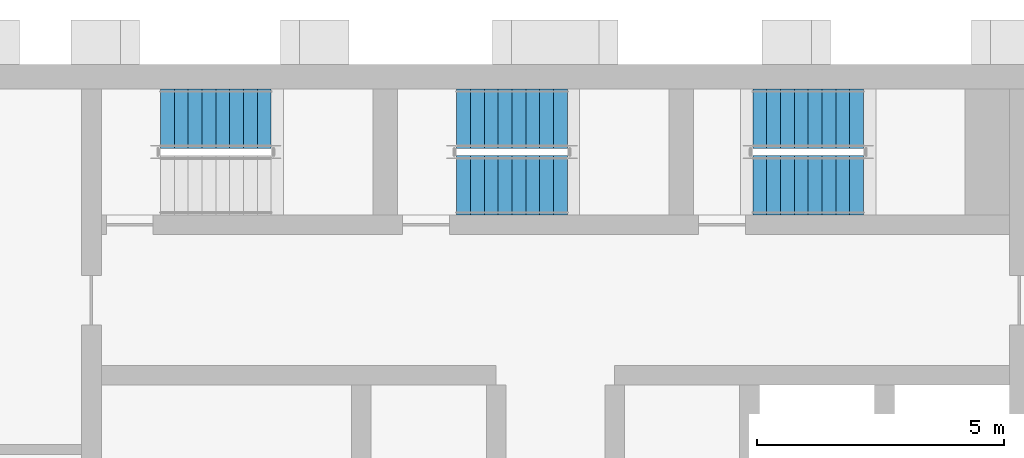
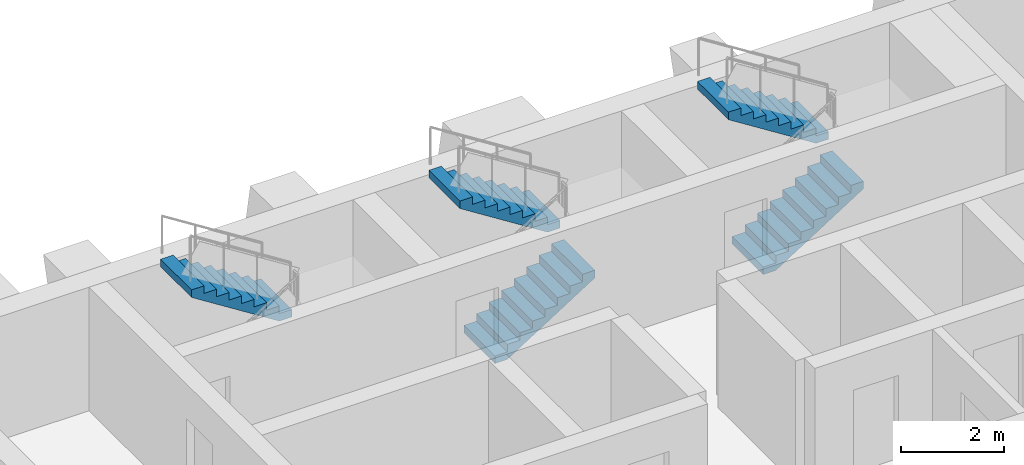
# One storey, part 15 of 19: 5 stair flights, 3 elements without a shape of their own.
"""IFC4 building model written with IfcOpenShell, lengths in metres."""

from ifc_helpers import new_model, si_unit, direction, frame, origin, place, context, subcontext, project, spatial, polyline, outline, extrude, material, type_object, element, aggregate, save


model = new_model("IFC4")

# Units and contexts
model_context = context("Model", 3, precision=1e-05, world=origin(), true_north=direction((0.0, 1.0)))
body_context = subcontext(model_context, "Body", "Model", "MODEL_VIEW")
ifc_project = project(units=[si_unit("LENGTHUNIT", "METRE"), si_unit("AREAUNIT", "SQUARE_METRE"), si_unit("VOLUMEUNIT", "CUBIC_METRE"), si_unit("PLANEANGLEUNIT", "RADIAN"), si_unit("MASSUNIT", "GRAM", prefix="KILO")], contexts=[model_context])

# Site, building, storey
site_placement = place(None, origin())
site = spatial("IfcSite", under=ifc_project, at=site_placement, CompositionType="ELEMENT")
building_placement = place(site_placement, origin())
building = spatial("IfcBuilding", under=site, at=building_placement, Name="Vidyagriha Tower", CompositionType="ELEMENT")
storey_placement = place(building_placement, frame((0.0, 0.0, 57.60009765625)))
storey = spatial("IfcBuildingStorey", under=building, at=storey_placement, Name="L15", CompositionType="ELEMENT", Elevation=57.60009765625)

# Stair, stair flight
ifc_material_1 = material(Name="Concrete C40/50", Category="concrete")
stair_type = type_object("IfcStairType", Name="Exit stair, half-turn, precast flights", PredefinedType="HALF_TURN_STAIR", material=ifc_material_1)
stair_1_placement = place(storey_placement, origin())
stair_1 = element("IfcStair", 1, at=stair_1_placement, inside=storey, type_object=stair_type, Name="L15 Exit Stair ST1", PredefinedType="HALF_TURN_STAIR")
ifc_material_2 = material(Name="Precast concrete C40/50", Category="concrete")
stair_flight_type = type_object("IfcStairFlightType", Name="Exit stair flight 1200 mm, precast", PredefinedType="STRAIGHT", material=ifc_material_2)
stair_flight_1_placement = place(storey_placement, frame((-5.760009765625, 18.89990234375, 1.599853515625), z_axis=(0.0, 0.0, 1.0), x_axis=(-1.0, 0.0, 0.0)))
stair_flight_1 = element("IfcStairFlight", 2, at=stair_flight_1_placement, type_object=stair_flight_type, Name="ST1 flight 2", NumberOfRisers=9, NumberOfTreads=8, PredefinedType="STRAIGHT", RiserHeight=0.177777778, TreadLength=0.28, context=body_context, shape_type="SweptSolid", body=[
    extrude(outline(polyline([(0.0, 0.0), (0.0, 0.177734375), (0.280029296875, 0.177734375), (0.280029296875, 0.35546875), (0.56005859375, 0.35546875), (0.56005859375, 0.533447265625), (0.840087890625, 0.533447265625), (0.840087890625, 0.711181640625), (1.1201171875, 0.711181640625), (1.1201171875, 0.888916015625), (1.39990234375, 0.888916015625), (1.39990234375, 1.066650390625), (1.679931640625, 1.066650390625), (1.679931640625, 1.244384765625), (1.9599609375, 1.244384765625), (1.9599609375, 1.422119140625), (2.239990234375, 1.422119140625), (2.239990234375, 1.60009765625), (2.239990234375, 1.24462890625), (0.27978515625, 0.0), (0.0, 0.0)])), frame((0.0, 0.60009765625, 0.0), z_axis=(0.0, -1.0, 0.0), x_axis=(1.0, 0.0, 0.0)), (0.0, 0.0, 1.0), 1.199951171875),
])
aggregate(stair_1, [stair_flight_1])

# Stair, stair flights
stair_2_placement = place(storey_placement, origin())
stair_2 = element("IfcStair", 3, at=stair_2_placement, inside=storey, type_object=stair_type, Name="L15 Exit Stair ST2", PredefinedType="HALF_TURN_STAIR")
stair_flight_2_placement = place(storey_placement, frame((-2.0, 17.550048828125, 0.0)))
stair_flight_2 = element("IfcStairFlight", 4, at=stair_flight_2_placement, type_object=stair_flight_type, Name="ST2 flight 1", NumberOfRisers=9, NumberOfTreads=8, PredefinedType="STRAIGHT", RiserHeight=0.177777778, TreadLength=0.28, context=body_context, shape_type="SweptSolid", body=[
    extrude(outline(polyline([(0.0, 0.0), (0.0, 0.177734375), (0.280029296875, 0.177734375), (0.280029296875, 0.35546875), (0.56005859375, 0.35546875), (0.56005859375, 0.533447265625), (0.840087890625, 0.533447265625), (0.840087890625, 0.711181640625), (1.1201171875, 0.711181640625), (1.1201171875, 0.888916015625), (1.39990234375, 0.888916015625), (1.39990234375, 1.066650390625), (1.679931640625, 1.066650390625), (1.679931640625, 1.244384765625), (1.9599609375, 1.244384765625), (1.9599609375, 1.422119140625), (2.239990234375, 1.422119140625), (2.239990234375, 1.60009765625), (2.239990234375, 1.24462890625), (0.27978515625, 0.0), (0.0, 0.0)])), frame((0.0, 0.60009765625, 0.0), z_axis=(0.0, -1.0, 0.0), x_axis=(1.0, 0.0, 0.0)), (0.0, 0.0, 1.0), 1.199951171875),
])
stair_flight_3_placement = place(storey_placement, frame((0.239990234375, 18.89990234375, 1.599853515625), z_axis=(0.0, 0.0, 1.0), x_axis=(-1.0, 0.0, 0.0)))
stair_flight_3 = element("IfcStairFlight", 5, at=stair_flight_3_placement, type_object=stair_flight_type, Name="ST2 flight 2", NumberOfRisers=9, NumberOfTreads=8, PredefinedType="STRAIGHT", RiserHeight=0.177777778, TreadLength=0.28, context=body_context, shape_type="SweptSolid", body=[
    extrude(outline(polyline([(0.0, 0.0), (0.0, 0.177734375), (0.280029296875, 0.177734375), (0.280029296875, 0.35546875), (0.56005859375, 0.35546875), (0.56005859375, 0.533447265625), (0.840087890625, 0.533447265625), (0.840087890625, 0.711181640625), (1.1201171875, 0.711181640625), (1.1201171875, 0.888916015625), (1.39990234375, 0.888916015625), (1.39990234375, 1.066650390625), (1.679931640625, 1.066650390625), (1.679931640625, 1.244384765625), (1.9599609375, 1.244384765625), (1.9599609375, 1.422119140625), (2.239990234375, 1.422119140625), (2.239990234375, 1.60009765625), (2.239990234375, 1.24462890625), (0.27978515625, 0.0), (0.0, 0.0)])), frame((0.0, 0.60009765625, 0.0), z_axis=(0.0, -1.0, 0.0), x_axis=(1.0, 0.0, 0.0)), (0.0, 0.0, 1.0), 1.199951171875),
])
aggregate(stair_2, [stair_flight_2, stair_flight_3])

stair_3_placement = place(storey_placement, origin())
stair_3 = element("IfcStair", 6, at=stair_3_placement, inside=storey, type_object=stair_type, Name="L15 Exit Stair ST3", PredefinedType="HALF_TURN_STAIR")
stair_flight_4_placement = place(storey_placement, frame((4.0, 17.550048828125, 0.0)))
stair_flight_4 = element("IfcStairFlight", 7, at=stair_flight_4_placement, type_object=stair_flight_type, Name="ST3 flight 1", NumberOfRisers=9, NumberOfTreads=8, PredefinedType="STRAIGHT", RiserHeight=0.177777778, TreadLength=0.28, context=body_context, shape_type="SweptSolid", body=[
    extrude(outline(polyline([(0.0, 0.0), (0.0, 0.177734375), (0.280029296875, 0.177734375), (0.280029296875, 0.35546875), (0.56005859375, 0.35546875), (0.56005859375, 0.533447265625), (0.840087890625, 0.533447265625), (0.840087890625, 0.711181640625), (1.1201171875, 0.711181640625), (1.1201171875, 0.888916015625), (1.39990234375, 0.888916015625), (1.39990234375, 1.066650390625), (1.679931640625, 1.066650390625), (1.679931640625, 1.244384765625), (1.9599609375, 1.244384765625), (1.9599609375, 1.422119140625), (2.239990234375, 1.422119140625), (2.239990234375, 1.60009765625), (2.239990234375, 1.24462890625), (0.27978515625, 0.0), (0.0, 0.0)])), frame((0.0, 0.60009765625, 0.0), z_axis=(0.0, -1.0, 0.0), x_axis=(1.0, 0.0, 0.0)), (0.0, 0.0, 1.0), 1.199951171875),
])
stair_flight_5_placement = place(storey_placement, frame((6.239990234375, 18.89990234375, 1.599853515625), z_axis=(0.0, 0.0, 1.0), x_axis=(-1.0, 0.0, 0.0)))
stair_flight_5 = element("IfcStairFlight", 8, at=stair_flight_5_placement, type_object=stair_flight_type, Name="ST3 flight 2", NumberOfRisers=9, NumberOfTreads=8, PredefinedType="STRAIGHT", RiserHeight=0.177777778, TreadLength=0.28, context=body_context, shape_type="SweptSolid", body=[
    extrude(outline(polyline([(0.0, 0.0), (0.0, 0.177734375), (0.280029296875, 0.177734375), (0.280029296875, 0.35546875), (0.56005859375, 0.35546875), (0.56005859375, 0.533447265625), (0.840087890625, 0.533447265625), (0.840087890625, 0.711181640625), (1.1201171875, 0.711181640625), (1.1201171875, 0.888916015625), (1.39990234375, 0.888916015625), (1.39990234375, 1.066650390625), (1.679931640625, 1.066650390625), (1.679931640625, 1.244384765625), (1.9599609375, 1.244384765625), (1.9599609375, 1.422119140625), (2.239990234375, 1.422119140625), (2.239990234375, 1.60009765625), (2.239990234375, 1.24462890625), (0.27978515625, 0.0), (0.0, 0.0)])), frame((0.0, 0.60009765625, 0.0), z_axis=(0.0, -1.0, 0.0), x_axis=(1.0, 0.0, 0.0)), (0.0, 0.0, 1.0), 1.199951171875),
])
aggregate(stair_3, [stair_flight_4, stair_flight_5])

save(model, "model.ifc")
